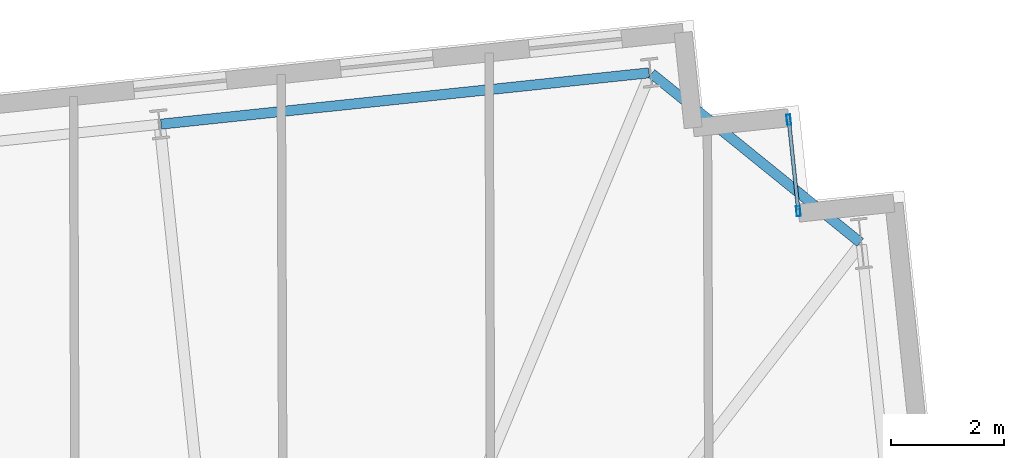
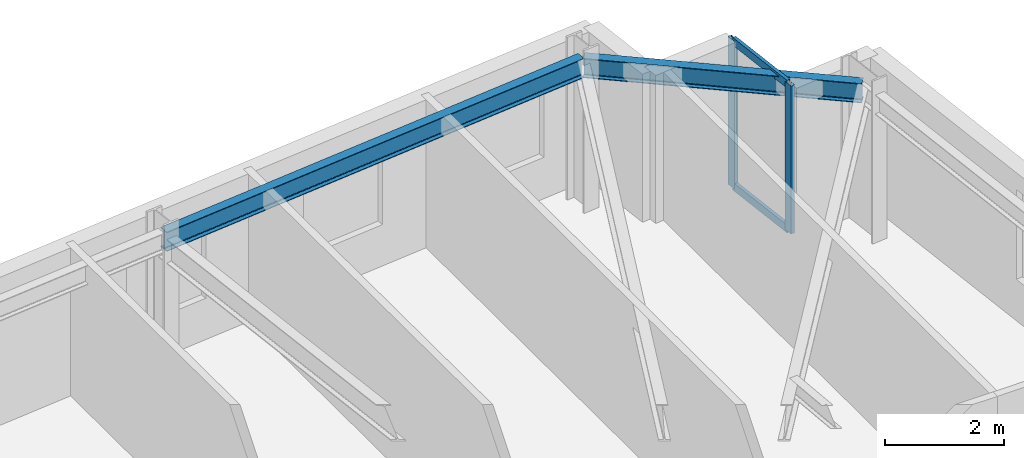
# One storey, part 14 of 23: 4 members, 2 beams, 1 element without a shape of its own.
"""IFC4 building model written with IfcOpenShell, lengths in metres."""

from ifc_helpers import new_model, si_unit, direction, frame, origin, origin_2d, place, context, subcontext, project, spatial, hollow_rectangle, i_section, extrude, material, layer, layer_set, material_profile, profile_set, type_object, element, aggregate, save


model = new_model("IFC4")

# Units and contexts
model_context = context("Model", 3, precision=1e-05, world=origin(), true_north=direction((0.0, 1.0)))
body_context = subcontext(model_context, "Body", "Model", "MODEL_VIEW")
ifc_project = project(units=[si_unit("LENGTHUNIT", "METRE"), si_unit("AREAUNIT", "SQUARE_METRE"), si_unit("VOLUMEUNIT", "CUBIC_METRE"), si_unit("PLANEANGLEUNIT", "RADIAN"), si_unit("MASSUNIT", "GRAM", prefix="KILO")], contexts=[model_context])

# Site, building, storey
site_placement = place(None, origin())
site = spatial("IfcSite", under=ifc_project, at=site_placement, CompositionType="ELEMENT")
building_placement = place(site_placement, origin())
building = spatial("IfcBuilding", under=site, at=building_placement, Name="Qobustan Lattice House", CompositionType="ELEMENT")
storey_placement = place(building_placement, frame((0.0, 0.0, 95.75)))
storey = spatial("IfcBuildingStorey", under=building, at=storey_placement, Name="L26", CompositionType="ELEMENT", Elevation=95.75)

# Beams
ifc_material_1 = material(Name="Steel S355", Category="steel")
ifc_material_profile_1 = material_profile(ifc_material_1, i_section(OverallWidth=0.179931640625, OverallDepth=0.39990234375, WebThickness=0.008544921875, FlangeThickness=0.013427734375, FilletRadius=0.02099609375, at=origin_2d()), Name="IPE400")
ifc_profile_set_1 = profile_set([ifc_material_profile_1], Name="Steel S355")
beam_type = type_object("IfcBeamType", Name="BM-SPD-IPE400", PredefinedType="SPANDREL", material=ifc_profile_set_1)
beam_1_placement = place(storey_placement, frame((29.536865234375, 19.484619140625, 2.844970703125), z_axis=(-0.777140911545, 0.629326627121, 0.0), x_axis=(-0.629326627121, -0.777140911545, 0.0)))
element("IfcBeam", 1, at=beam_1_placement, inside=storey, type_object=beam_type, Name="L26 perimeter spandrel E4-N1", PredefinedType="SPANDREL", context=body_context, shape_type="SweptSolid", body=[
    extrude(i_section(OverallWidth=0.179931640625, OverallDepth=0.39990234375, WebThickness=0.008544921875, FlangeThickness=0.013427734375, FilletRadius=0.02099609375, at=origin_2d()), origin(), (0.0, 0.0, 1.0), 4.758544921875),
])
beam_2_placement = place(storey_placement, frame((25.794677734375, 22.492431640625, 2.844970703125), z_axis=(-0.994521586424, -0.104531402636, 0.0), x_axis=(0.104531402636, -0.994521586424, 0.0)))
element("IfcBeam", 2, at=beam_2_placement, inside=storey, type_object=beam_type, Name="L26 perimeter spandrel N1-N2", PredefinedType="SPANDREL", context=body_context, shape_type="SweptSolid", body=[
    extrude(i_section(OverallWidth=0.179931640625, OverallDepth=0.39990234375, WebThickness=0.008544921875, FlangeThickness=0.013427734375, FilletRadius=0.02099609375, at=origin_2d()), origin(), (0.0, 0.0, 1.0), 8.699951171875),
])

# Curtain wall, members
ifc_material_2 = material(Name="Anodised aluminium and low-E glazing", Category="aluminium")
ifc_layer = layer(ifc_material_2, 0.219970703125)
ifc_layer_set = layer_set([ifc_layer], Name="Anodised aluminium and low-E glazing")
curtain_wall_type = type_object("IfcCurtainWallType", Name="CW-FAC-01", PredefinedType="USERDEFINED", material=ifc_layer_set)
curtain_wall_placement = place(storey_placement, origin())
curtain_wall = element("IfcCurtainWall", 3, at=curtain_wall_placement, inside=storey, type_object=curtain_wall_type, Name="L26 serrated corner faceted glazing 13", ObjectType="CURTAIN WALL", PredefinedType="USERDEFINED")
ifc_material_3 = material(Name="Anodised aluminium EN AW-6063 T6", Category="aluminium")
ifc_material_profile_2 = material_profile(ifc_material_3, hollow_rectangle(XDim=0.070068359375, YDim=0.179931640625, WallThickness=0.00439453125, at=origin_2d()), Name="CWM-180x70")
ifc_profile_set_2 = profile_set([ifc_material_profile_2], Name="Anodised aluminium EN AW-6063 T6")
member_type_1 = type_object("IfcMemberType", Name="CWM-STD-180", PredefinedType="MULLION", material=ifc_profile_set_2)
member_1_placement = place(storey_placement, frame((28.27001953125, 21.66162109375, 0.0), z_axis=(0.0, 0.0, 1.0), x_axis=(0.994521878892, 0.104528620025, 0.0)))
member_1 = element("IfcMember", 4, at=member_1_placement, type_object=member_type_1, Name="CW-F1 mullion 1", PredefinedType="MULLION", context=body_context, shape_type="SweptSolid", body=[
    extrude(hollow_rectangle(XDim=0.070068359375, YDim=0.179931640625, WallThickness=0.00439453125, at=origin_2d()), origin(), (0.0, 0.0, 1.0), 3.044921875),
])
member_2_placement = place(storey_placement, frame((28.4404296875, 20.04052734375, 0.0), z_axis=(0.0, 0.0, 1.0), x_axis=(0.994521878892, 0.104528620025, 0.0)))
member_2 = element("IfcMember", 5, at=member_2_placement, type_object=member_type_1, Name="CW-F1 mullion 2", PredefinedType="MULLION", context=body_context, shape_type="SweptSolid", body=[
    extrude(hollow_rectangle(XDim=0.070068359375, YDim=0.179931640625, WallThickness=0.00439453125, at=origin_2d()), origin(), (0.0, 0.0, 1.0), 3.044921875),
])
ifc_material_4 = material(Name="Anodised aluminium EN AW-6063 T6", Category="aluminium")
ifc_material_profile_3 = material_profile(ifc_material_4, hollow_rectangle(XDim=0.06494140625, YDim=0.159912109375, WallThickness=0.00390625, at=origin_2d()), Name="CWT-160x65")
ifc_profile_set_3 = profile_set([ifc_material_profile_3], Name="Anodised aluminium EN AW-6063 T6")
member_type_2 = type_object("IfcMemberType", Name="CWT-HOR-160", PredefinedType="USERDEFINED", material=ifc_profile_set_3)
member_3_placement = place(storey_placement, frame((28.273681640625, 21.626708984375, 0.032470703125), z_axis=(0.104538150424, -0.994520877159, 0.0), x_axis=(0.994520877159, 0.104538150424, 0.0)))
member_3 = element("IfcMember", 6, at=member_3_placement, type_object=member_type_2, Name="CW-F1 transom 1.1", ObjectType="TRANSOM", PredefinedType="USERDEFINED", context=body_context, shape_type="SweptSolid", body=[
    extrude(hollow_rectangle(XDim=0.06494140625, YDim=0.159912109375, WallThickness=0.00390625, at=origin_2d()), origin(), (0.0, 0.0, 1.0), 1.56005859375),
])
member_4_placement = place(storey_placement, frame((28.273681640625, 21.626708984375, 3.012451171875), z_axis=(0.104538150424, -0.994520877159, 0.0), x_axis=(0.994520877159, 0.104538150424, 0.0)))
member_4 = element("IfcMember", 7, at=member_4_placement, type_object=member_type_2, Name="CW-F1 transom 1.2", ObjectType="TRANSOM", PredefinedType="USERDEFINED", context=body_context, shape_type="SweptSolid", body=[
    extrude(hollow_rectangle(XDim=0.06494140625, YDim=0.159912109375, WallThickness=0.00390625, at=origin_2d()), origin(), (0.0, 0.0, 1.0), 1.56005859375),
])
aggregate(curtain_wall, [member_1, member_2, member_3, member_4])

save(model, "model.ifc")
